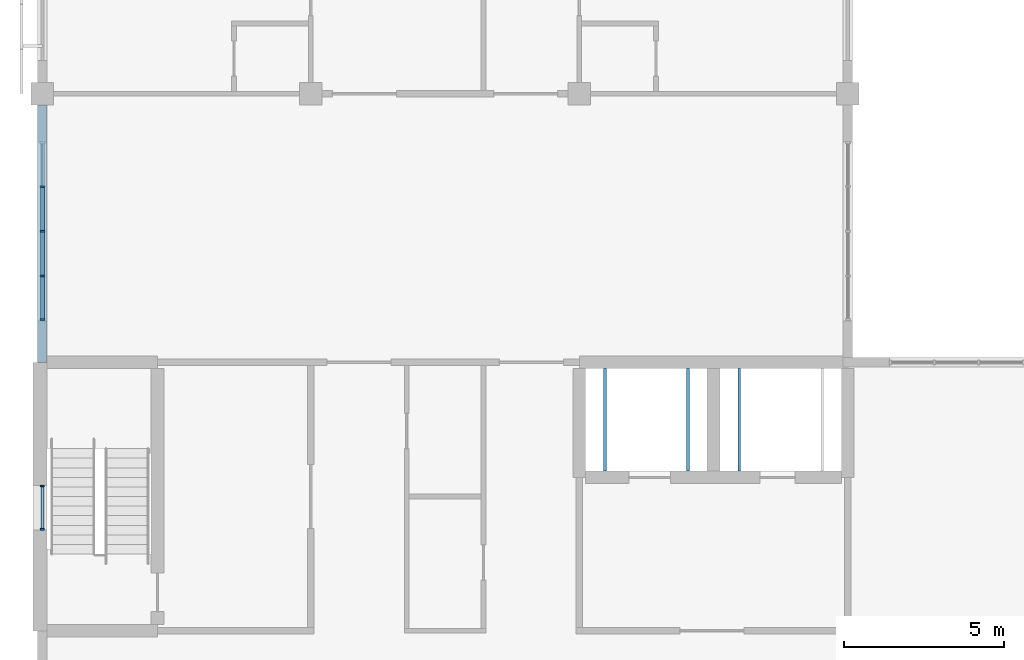
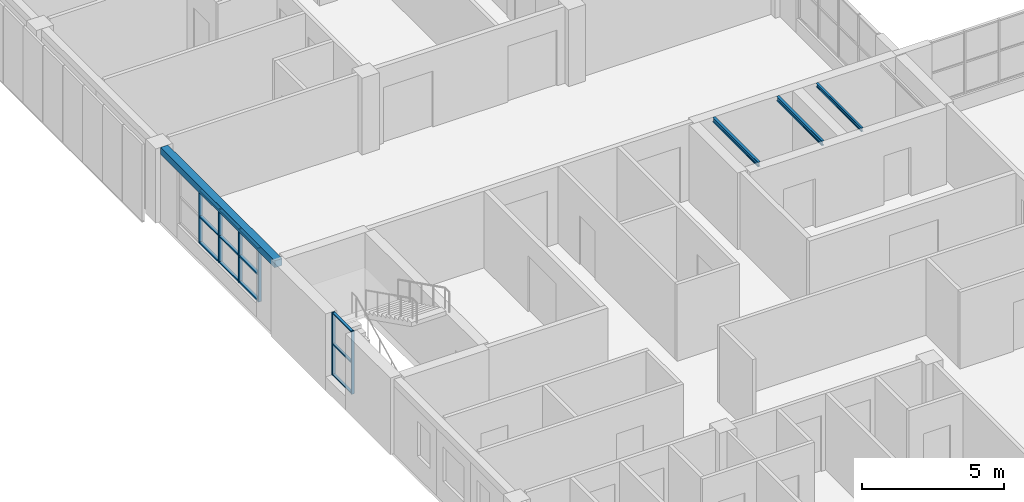
# One storey, part 3 of 48: 18 members, 4 beams, 2 elements without a shape of their own.
"""IFC4 building model written with IfcOpenShell, lengths in metres."""

import ifcopenshell
import ifcopenshell.guid

model = None  # the IFC model being written
_history = None  # IfcOwnerHistory: only IFC2X3 demands one
_inside = {}  # id of a spatial element -> (the spatial element, [elements in it])
_under = {}  # id of a project, library or spatial element -> (it, [spatial elements below it])
_declared = {}  # id of a project -> (the project, [libraries it declares])
_typed = {}  # id of a type object -> (the type object, [elements of that type])
_made_of = {}  # id of a material, layer set ... -> (it, [elements and type objects made of it])


def new_model(schema):
    """Start an empty IFC model of exactly this schema.

    Asked for "IFC4X3", IfcOpenShell would pick the latest addendum, in which some entities
    have other attributes; the version numbers below select the first issue.
    IFC2X3 requires an IfcOwnerHistory on every rooted entity: one is made here for all.
    """
    global model, _history
    if schema == "IFC4X3":
        model = ifcopenshell.file(schema_version=(4, 3, 0, 0))
    else:
        model = ifcopenshell.file(schema=schema)
    _inside.clear()
    _under.clear()
    _declared.clear()
    _typed.clear()
    _made_of.clear()
    _history = None
    if model.schema == "IFC2X3":
        org = make("IfcOrganization", Name="unknown")
        user = make(
            "IfcPersonAndOrganization",
            ThePerson=make("IfcPerson", FamilyName="unknown"),
            TheOrganization=org,
        )
        app = make(
            "IfcApplication",
            ApplicationDeveloper=org,
            Version="unknown",
            ApplicationFullName="unknown",
            ApplicationIdentifier="unknown",
        )
        _history = make(
            "IfcOwnerHistory",
            OwningUser=user,
            OwningApplication=app,
            ChangeAction="ADDED",
            CreationDate=0,
        )
    return model


def make(cls, **values):
    """One entity of the class cls with the attributes given. An attribute that is None is left unset."""
    return model.create_entity(
        cls, **{name: value for name, value in values.items() if value is not None}
    )


def rooted(cls, **values):
    """An entity with a GlobalId (a new one), such as an element, a storey or a relation."""
    return make(cls, GlobalId=ifcopenshell.guid.new(), OwnerHistory=_history, **values)


def si_unit(unit_type, name, prefix=None):
    """IfcSIUnit, for example si_unit("LENGTHUNIT", "METRE", prefix="MILLI")."""
    return make("IfcSIUnit", UnitType=unit_type, Prefix=prefix, Name=name)


def assignment(units):
    """IfcUnitAssignment: the units of a project."""
    return None if units is None else make("IfcUnitAssignment", Units=units)


def point(xyz):
    """IfcCartesianPoint."""
    return None if xyz is None else make("IfcCartesianPoint", Coordinates=xyz)


def direction(xyz):
    """IfcDirection."""
    return None if xyz is None else make("IfcDirection", DirectionRatios=xyz)


def frame(location, z_axis=None, x_axis=None):
    """IfcAxis2Placement3D, a coordinate frame: its origin and axes. An axis left out is left unset."""
    return make(
        "IfcAxis2Placement3D",
        Location=point(location),
        Axis=direction(z_axis),
        RefDirection=direction(x_axis),
    )


def frame_2d(location, x_axis=None):
    """IfcAxis2Placement2D, a coordinate frame in the plane: its origin and x axis."""
    return make(
        "IfcAxis2Placement2D", Location=point(location), RefDirection=direction(x_axis)
    )


def origin():
    """The frame at (0, 0, 0) with its axes left unset."""
    return frame((0.0, 0.0, 0.0))


def origin_2d():
    """The frame at (0, 0) in the plane with its x axis left unset."""
    return frame_2d((0.0, 0.0))


def place(relative_to, where):
    """IfcLocalPlacement: puts the frame where relative to a parent placement (None: the world)."""
    return make(
        "IfcLocalPlacement", PlacementRelTo=relative_to, RelativePlacement=where
    )


def context(
    kind, dimensions, precision=None, world=None, true_north=None, identifier=None
):
    """IfcGeometricRepresentationContext, for example the 3D "Model" context."""
    return make(
        "IfcGeometricRepresentationContext",
        ContextIdentifier=identifier,
        ContextType=kind,
        CoordinateSpaceDimension=dimensions,
        Precision=precision,
        WorldCoordinateSystem=world,
        TrueNorth=true_north,
    )


def subcontext(parent, identifier, kind, view, scale=None):
    """IfcGeometricRepresentationSubContext, for example "Body" below "Model"."""
    return make(
        "IfcGeometricRepresentationSubContext",
        ContextIdentifier=identifier,
        ContextType=kind,
        ParentContext=parent,
        TargetScale=scale,
        TargetView=view,
    )


def project(units=None, contexts=None):
    """IfcProject with its units and contexts."""
    return rooted(
        "IfcProject",
        Name="project",
        RepresentationContexts=contexts,
        UnitsInContext=assignment(units),
    )


def spatial(cls, under=None, at=None, **own):
    """A site, building, storey or space (cls), placed at a placement, below another one or the project."""
    s = rooted(cls, ObjectPlacement=at, **own)
    if under is not None:
        _under.setdefault(under.id(), (under, []))[1].append(s)
    return s


def profile(cls, at=None, kind="AREA", **sizes):
    """A parametric profile (cls). Its sizes go by their IFC names, for example OverallWidth=200.0."""
    return make(cls, ProfileType=kind, Position=at, **sizes)


def rectangle(**sizes):
    """IfcRectangleProfileDef."""
    return profile("IfcRectangleProfileDef", **sizes)


def i_section(**sizes):
    """IfcIShapeProfileDef."""
    return profile("IfcIShapeProfileDef", **sizes)


def extrude(swept, where, along, depth):
    """IfcExtrudedAreaSolid: the profile swept, set in the frame where, extruded along a direction by depth."""
    return make(
        "IfcExtrudedAreaSolid",
        SweptArea=swept,
        Position=where,
        ExtrudedDirection=direction(along),
        Depth=depth,
    )


def shape(context_of_items, identifier, shape_type, items):
    """IfcShapeRepresentation: the items that make up one representation, for example the "Body"."""
    return make(
        "IfcShapeRepresentation",
        ContextOfItems=context_of_items,
        RepresentationIdentifier=identifier,
        RepresentationType=shape_type,
        Items=items,
    )


def material(Name=None, Category=None):
    """IfcMaterial."""
    return make("IfcMaterial", Name=Name, Category=Category)


def material_profile(
    of_material, cross_section, Name=None, Category=None, Priority=None
):
    """IfcMaterialProfile: a cross section and its material."""
    return make(
        "IfcMaterialProfile",
        Name=Name,
        Material=of_material,
        Profile=cross_section,
        Priority=Priority,
        Category=Category,
    )


def profile_set(profiles, Name=None, composite=None):
    """IfcMaterialProfileSet."""
    return make(
        "IfcMaterialProfileSet",
        Name=Name,
        MaterialProfiles=profiles,
        CompositeProfile=composite,
    )


def made_of(thing, what):
    """Note that an element or type object is made of a material, layer set ...; save() writes the relation."""
    if what is not None:
        _made_of.setdefault(what.id(), (what, []))[1].append(thing)
    return thing


def type_object(cls, material=None, **own):
    """A type object (cls), such as IfcWallType, which elements share."""
    return made_of(rooted(cls, **own), material)


def element(
    cls,
    number,
    at=None,
    inside=None,
    cuts=None,
    type_object=None,
    material=None,
    context=None,
    identifier="Body",
    shape_type=None,
    held_by="IfcProductDefinitionShape",
    body=None,
    shapes=None,
    **own,
):
    """One element of the class cls, such as IfcWall. Its Tag is "e" and its number.

    at: its placement. inside: the storey or other place that contains it. cuts: it is an
    opening in that element (IfcRelVoidsElement). A single representation is given by context,
    identifier, shape_type and body (its items); several are given by shapes. held_by: the class
    of the entity that holds the representations. save() writes the other relations.
    """
    e = rooted(cls, Tag="e%d" % number, ObjectPlacement=at, **own)
    if body is not None:
        shapes = [shape(context, identifier, shape_type, body)]
    if shapes is not None:
        e.Representation = make(held_by, Representations=shapes)
    if inside is not None:
        _inside.setdefault(inside.id(), (inside, []))[1].append(e)
    if cuts is not None:
        rooted(
            "IfcRelVoidsElement", RelatingBuildingElement=cuts, RelatedOpeningElement=e
        )
    if type_object is not None:
        _typed.setdefault(type_object.id(), (type_object, []))[1].append(e)
    return made_of(e, material)


def aggregate(whole, parts):
    """IfcRelAggregates: a whole, such as a stair, and the parts it consists of."""
    return rooted("IfcRelAggregates", RelatingObject=whole, RelatedObjects=parts)


def save(model, path):
    """Write the relations noted so far, then the file.

    IfcRelAggregates (storeys below a building ...), IfcRelContainedInSpatialStructure (elements
    in a storey), IfcRelDefinesByType, IfcRelAssociatesMaterial and IfcRelDeclares: one each for
    every whole, place, type object, material and project.
    """
    for whole, parts in _under.values():
        aggregate(whole, parts)
    for where, things in _inside.values():
        rooted(
            "IfcRelContainedInSpatialStructure",
            RelatedElements=things,
            RelatingStructure=where,
        )
    for kind, things in _typed.values():
        rooted("IfcRelDefinesByType", RelatedObjects=things, RelatingType=kind)
    for what, things in _made_of.values():
        rooted("IfcRelAssociatesMaterial", RelatedObjects=things, RelatingMaterial=what)
    for by, libraries in _declared.values():
        rooted("IfcRelDeclares", RelatingContext=by, RelatedDefinitions=libraries)
    model.write(path)


model = new_model("IFC4")

# Units and contexts
model_context = context("Model", 3, precision=1e-05, world=origin(), true_north=direction((0.0, 1.0)))
body_context = subcontext(model_context, "Body", "Model", "MODEL_VIEW")
ifc_project = project(units=[si_unit("LENGTHUNIT", "METRE"), si_unit("AREAUNIT", "SQUARE_METRE"), si_unit("VOLUMEUNIT", "CUBIC_METRE"), si_unit("PLANEANGLEUNIT", "RADIAN"), si_unit("MASSUNIT", "GRAM", prefix="KILO")], contexts=[model_context])

# Site, building, storey
site_placement = place(None, origin())
site = spatial("IfcSite", under=ifc_project, at=site_placement, CompositionType="ELEMENT")
building_placement = place(site_placement, origin())
building = spatial("IfcBuilding", under=site, at=building_placement, Name="Yavir Park General Hospital", CompositionType="ELEMENT")
storey_placement = place(building_placement, frame((0.0, 0.0, 26.10009765625)))
storey = spatial("IfcBuildingStorey", under=building, at=storey_placement, Name="L06", CompositionType="ELEMENT", Elevation=26.10009765625)

# Curtain wall, members
ifc_material_1 = material(Name="Aluminium curtain wall frame with insulated glazing", Category="aluminium")
curtain_wall_type_1 = type_object("IfcCurtainWallType", Name="Day room pocket glazing, ward floors, 2300 high, 1400 module", PredefinedType="NOTDEFINED", material=ifc_material_1)
curtain_wall_1_placement = place(storey_placement, origin())
curtain_wall_1 = element("IfcCurtainWall", 1, at=curtain_wall_1_placement, inside=storey, type_object=curtain_wall_type_1, Name="CW63 L06-019", PredefinedType="NOTDEFINED")
ifc_material_2 = material(Name="Aluminium", Category="aluminium")
ifc_material_profile_1 = material_profile(ifc_material_2, rectangle(XDim=0.139892578125, YDim=0.06005859375, at=origin_2d()), Name="AL 60x140")
ifc_profile_set_1 = profile_set([ifc_material_profile_1], Name="Aluminium")
member_type_1 = type_object("IfcMemberType", Name="Day room pocket glazing, ward floors, 2300 high mullion 60 x 140", PredefinedType="MULLION", material=ifc_profile_set_1)
member_1_placement = place(storey_placement, frame((0.0, 26.530029296875, 0.599853515625), z_axis=(0.0, 0.0, 1.0), x_axis=(-1.0, 0.0, 0.0)))
member_1 = element("IfcMember", 2, at=member_1_placement, type_object=member_type_1, Name="CW63 mullion 1", PredefinedType="MULLION", context=body_context, shape_type="SweptSolid", body=[
    extrude(rectangle(XDim=0.139892578125, YDim=0.06005859375, at=origin_2d()), origin(), (0.0, 0.0, 1.0), 2.300048828125),
])
member_2_placement = place(storey_placement, frame((0.0, 27.89990234375, 0.599853515625), z_axis=(0.0, 0.0, 1.0), x_axis=(-1.0, 0.0, 0.0)))
member_2 = element("IfcMember", 3, at=member_2_placement, type_object=member_type_1, Name="CW63 mullion 2", PredefinedType="MULLION", context=body_context, shape_type="SweptSolid", body=[
    extrude(rectangle(XDim=0.139892578125, YDim=0.06005859375, at=origin_2d()), origin(), (0.0, 0.0, 1.0), 2.300048828125),
])
member_3_placement = place(storey_placement, frame((0.0, 29.300048828125, 0.599853515625), z_axis=(0.0, 0.0, 1.0), x_axis=(-1.0, 0.0, 0.0)))
member_3 = element("IfcMember", 4, at=member_3_placement, type_object=member_type_1, Name="CW63 mullion 3", PredefinedType="MULLION", context=body_context, shape_type="SweptSolid", body=[
    extrude(rectangle(XDim=0.139892578125, YDim=0.06005859375, at=origin_2d()), origin(), (0.0, 0.0, 1.0), 2.300048828125),
])
member_4_placement = place(storey_placement, frame((0.0, 30.699951171875, 0.599853515625), z_axis=(0.0, 0.0, 1.0), x_axis=(-1.0, 0.0, 0.0)))
member_4 = element("IfcMember", 5, at=member_4_placement, type_object=member_type_1, Name="CW63 mullion 4", PredefinedType="MULLION", context=body_context, shape_type="SweptSolid", body=[
    extrude(rectangle(XDim=0.139892578125, YDim=0.06005859375, at=origin_2d()), origin(), (0.0, 0.0, 1.0), 2.300048828125),
])
ifc_material_3 = material(Name="Aluminium", Category="aluminium")
ifc_material_profile_2 = material_profile(ifc_material_3, rectangle(XDim=0.1201171875, YDim=0.06005859375, at=origin_2d()), Name="AL 120x60")
ifc_profile_set_2 = profile_set([ifc_material_profile_2], Name="Aluminium")
member_type_2 = type_object("IfcMemberType", Name="Day room pocket glazing, ward floors, 2300 high transom 60 x 120", PredefinedType="MULLION", material=ifc_profile_set_2)
member_5_placement = place(storey_placement, frame((0.0, 26.56005859375, 0.6298828125), z_axis=(0.0, 1.0, 0.0), x_axis=(-1.0, 0.0, 0.0)))
member_5 = element("IfcMember", 6, at=member_5_placement, type_object=member_type_2, Name="CW63 transom 1.1", PredefinedType="MULLION", context=body_context, shape_type="SweptSolid", body=[
    extrude(rectangle(XDim=0.1201171875, YDim=0.06005859375, at=origin_2d()), origin(), (0.0, 0.0, 1.0), 1.31005859375),
])
member_6_placement = place(storey_placement, frame((0.0, 26.56005859375, 1.75), z_axis=(0.0, 1.0, 0.0), x_axis=(-1.0, 0.0, 0.0)))
member_6 = element("IfcMember", 7, at=member_6_placement, type_object=member_type_2, Name="CW63 transom 1.2", PredefinedType="MULLION", context=body_context, shape_type="SweptSolid", body=[
    extrude(rectangle(XDim=0.1201171875, YDim=0.06005859375, at=origin_2d()), origin(), (0.0, 0.0, 1.0), 1.31005859375),
])
member_7_placement = place(storey_placement, frame((0.0, 26.56005859375, 2.869873046875), z_axis=(0.0, 1.0, 0.0), x_axis=(-1.0, 0.0, 0.0)))
member_7 = element("IfcMember", 8, at=member_7_placement, type_object=member_type_2, Name="CW63 transom 1.3", PredefinedType="MULLION", context=body_context, shape_type="SweptSolid", body=[
    extrude(rectangle(XDim=0.1201171875, YDim=0.06005859375, at=origin_2d()), origin(), (0.0, 0.0, 1.0), 1.31005859375),
])
member_8_placement = place(storey_placement, frame((0.0, 27.929931640625, 0.6298828125), z_axis=(0.0, 1.0, 0.0), x_axis=(-1.0, 0.0, 0.0)))
member_8 = element("IfcMember", 9, at=member_8_placement, type_object=member_type_2, Name="CW63 transom 2.1", PredefinedType="MULLION", context=body_context, shape_type="SweptSolid", body=[
    extrude(rectangle(XDim=0.1201171875, YDim=0.06005859375, at=origin_2d()), origin(), (0.0, 0.0, 1.0), 1.340087890625),
])
member_9_placement = place(storey_placement, frame((0.0, 27.929931640625, 1.75), z_axis=(0.0, 1.0, 0.0), x_axis=(-1.0, 0.0, 0.0)))
member_9 = element("IfcMember", 10, at=member_9_placement, type_object=member_type_2, Name="CW63 transom 2.2", PredefinedType="MULLION", context=body_context, shape_type="SweptSolid", body=[
    extrude(rectangle(XDim=0.1201171875, YDim=0.06005859375, at=origin_2d()), origin(), (0.0, 0.0, 1.0), 1.340087890625),
])
member_10_placement = place(storey_placement, frame((0.0, 27.929931640625, 2.869873046875), z_axis=(0.0, 1.0, 0.0), x_axis=(-1.0, 0.0, 0.0)))
member_10 = element("IfcMember", 11, at=member_10_placement, type_object=member_type_2, Name="CW63 transom 2.3", PredefinedType="MULLION", context=body_context, shape_type="SweptSolid", body=[
    extrude(rectangle(XDim=0.1201171875, YDim=0.06005859375, at=origin_2d()), origin(), (0.0, 0.0, 1.0), 1.340087890625),
])
member_11_placement = place(storey_placement, frame((0.0, 29.330078125, 0.6298828125), z_axis=(0.0, 1.0, 0.0), x_axis=(-1.0, 0.0, 0.0)))
member_11 = element("IfcMember", 12, at=member_11_placement, type_object=member_type_2, Name="CW63 transom 3.1", PredefinedType="MULLION", context=body_context, shape_type="SweptSolid", body=[
    extrude(rectangle(XDim=0.1201171875, YDim=0.06005859375, at=origin_2d()), origin(), (0.0, 0.0, 1.0), 1.33984375),
])
member_12_placement = place(storey_placement, frame((0.0, 29.330078125, 1.75), z_axis=(0.0, 1.0, 0.0), x_axis=(-1.0, 0.0, 0.0)))
member_12 = element("IfcMember", 13, at=member_12_placement, type_object=member_type_2, Name="CW63 transom 3.2", PredefinedType="MULLION", context=body_context, shape_type="SweptSolid", body=[
    extrude(rectangle(XDim=0.1201171875, YDim=0.06005859375, at=origin_2d()), origin(), (0.0, 0.0, 1.0), 1.33984375),
])
member_13_placement = place(storey_placement, frame((0.0, 29.330078125, 2.869873046875), z_axis=(0.0, 1.0, 0.0), x_axis=(-1.0, 0.0, 0.0)))
member_13 = element("IfcMember", 14, at=member_13_placement, type_object=member_type_2, Name="CW63 transom 3.3", PredefinedType="MULLION", context=body_context, shape_type="SweptSolid", body=[
    extrude(rectangle(XDim=0.1201171875, YDim=0.06005859375, at=origin_2d()), origin(), (0.0, 0.0, 1.0), 1.33984375),
])
aggregate(curtain_wall_1, [member_1, member_2, member_3, member_4, member_5, member_6, member_7, member_8, member_9, member_10, member_11, member_12, member_13])

# Beams
ifc_material_4 = material(Name="Steel S355", Category="steel")
ifc_material_profile_3 = material_profile(ifc_material_4, i_section(OverallWidth=0.08203125, OverallDepth=0.159912109375, WebThickness=0.0048828125, FlangeThickness=0.00732421875, FilletRadius=0.009033203125, at=origin_2d()), Name="IPE160")
ifc_profile_set_3 = profile_set([ifc_material_profile_3], Name="Steel S355")
beam_type_1 = type_object("IfcBeamType", Name="IPE 160 lift machine beam", PredefinedType="BEAM", material=ifc_profile_set_3)
beam_1_placement = place(storey_placement, frame((21.800048828125, 21.800048828125, 3.219970703125), z_axis=(0.0, 1.0, 0.0), x_axis=(-1.0, 0.0, 0.0)))
element("IfcBeam", 15, at=beam_1_placement, inside=storey, type_object=beam_type_1, Name="B:MACH:PL3:0", PredefinedType="BEAM", context=body_context, shape_type="SweptSolid", body=[
    extrude(i_section(OverallWidth=0.08203125, OverallDepth=0.159912109375, WebThickness=0.0048828125, FlangeThickness=0.00732421875, FilletRadius=0.009033203125, at=origin_2d()), origin(), (0.0, 0.0, 1.0), 3.199951171875),
])
ifc_material_5 = material(Name="Steel S355", Category="steel")
ifc_material_profile_4 = material_profile(ifc_material_5, i_section(OverallWidth=0.10009765625, OverallDepth=0.199951171875, WebThickness=0.005615234375, FlangeThickness=0.008544921875, FilletRadius=0.011962890625, at=origin_2d()), Name="IPE200")
ifc_profile_set_4 = profile_set([ifc_material_profile_4], Name="Steel S355")
beam_type_2 = type_object("IfcBeamType", Name="IPE 200 lift machine beam", PredefinedType="BEAM", material=ifc_profile_set_4)
for number, where, z_axis, x_axis, name in (
    (16, (17.60009765625, 21.800048828125, 3.199951171875), (0.0, 1.0, 0.0), (-1.0, 0.0, 0.0), "B:MACH:BL3:0"),
    (17, (20.199951171875, 21.800048828125, 3.199951171875), (0.0, 1.0, 0.0), (-1.0, 0.0, 0.0), "B:MACH:BL3:1"),
):
    element("IfcBeam", number, at=place(storey_placement, frame(where, z_axis=z_axis, x_axis=x_axis)), inside=storey, type_object=beam_type_2, Name=name, PredefinedType="BEAM", context=body_context, shape_type="SweptSolid", body=[
        extrude(i_section(OverallWidth=0.10009765625, OverallDepth=0.199951171875, WebThickness=0.005615234375, FlangeThickness=0.008544921875, FilletRadius=0.011962890625, at=origin_2d()), origin(), (0.0, 0.0, 1.0), 3.199951171875),
    ])
ifc_material_6 = material(Name="Concrete C35/45", Category="concrete")
ifc_material_profile_5 = material_profile(ifc_material_6, rectangle(XDim=0.300048828125, YDim=0.300048828125, at=origin_2d()), Name="RC300x300")
ifc_profile_set_5 = profile_set([ifc_material_profile_5], Name="Concrete C35/45")
beam_type_3 = type_object("IfcBeamType", Name="RC BEAM 300x300 edge beam", PredefinedType="BEAM", material=ifc_profile_set_5)
beam_2_placement = place(storey_placement, frame((0.0, 25.199951171875, 3.0498046875), z_axis=(0.0, 1.0, 0.0), x_axis=(-1.0, 0.0, 0.0)))
element("IfcBeam", 18, at=beam_2_placement, inside=storey, type_object=beam_type_3, Name="B:EDGE:L06:018", PredefinedType="BEAM", context=body_context, shape_type="SweptSolid", body=[
    extrude(rectangle(XDim=0.300048828125, YDim=0.300048828125, at=origin_2d()), origin(), (0.0, 0.0, 1.0), 8.050048828125),
])

# Curtain wall, members
ifc_material_7 = material(Name="Aluminium curtain wall frame with insulated glazing", Category="aluminium")
curtain_wall_type_2 = type_object("IfcCurtainWallType", Name="Stair light slot, ward floors, 2700 high, 1400 module", PredefinedType="NOTDEFINED", material=ifc_material_7)
curtain_wall_2_placement = place(storey_placement, origin())
curtain_wall_2 = element("IfcCurtainWall", 19, at=curtain_wall_2_placement, inside=storey, type_object=curtain_wall_type_2, Name="CW64 L06-018", PredefinedType="NOTDEFINED")
ifc_material_8 = material(Name="Aluminium", Category="aluminium")
ifc_material_profile_6 = material_profile(ifc_material_8, rectangle(XDim=0.1201171875, YDim=0.050048828125, at=origin_2d()), Name="AL 50x120")
ifc_profile_set_6 = profile_set([ifc_material_profile_6], Name="Aluminium")
member_type_3 = type_object("IfcMemberType", Name="Stair light slot, ward floors, 2700 high mullion 50 x 120", PredefinedType="MULLION", material=ifc_profile_set_6)
member_14_placement = place(storey_placement, frame((0.0, 19.97509765625, 0.599853515625), z_axis=(0.0, 0.0, 1.0), x_axis=(-1.0, 0.0, 0.0)))
member_14 = element("IfcMember", 20, at=member_14_placement, type_object=member_type_3, Name="CW64 mullion 1", PredefinedType="MULLION", context=body_context, shape_type="SweptSolid", body=[
    extrude(rectangle(XDim=0.1201171875, YDim=0.050048828125, at=origin_2d()), origin(), (0.0, 0.0, 1.0), 2.699951171875),
])
member_15_placement = place(storey_placement, frame((0.0, 21.324951171875, 0.599853515625), z_axis=(0.0, 0.0, 1.0), x_axis=(-1.0, 0.0, 0.0)))
member_15 = element("IfcMember", 21, at=member_15_placement, type_object=member_type_3, Name="CW64 mullion 2", PredefinedType="MULLION", context=body_context, shape_type="SweptSolid", body=[
    extrude(rectangle(XDim=0.1201171875, YDim=0.050048828125, at=origin_2d()), origin(), (0.0, 0.0, 1.0), 2.699951171875),
])
ifc_material_9 = material(Name="Aluminium", Category="aluminium")
ifc_material_profile_7 = material_profile(ifc_material_9, rectangle(XDim=0.10009765625, YDim=0.050048828125, at=origin_2d()), Name="AL 100x50")
ifc_profile_set_7 = profile_set([ifc_material_profile_7], Name="Aluminium")
member_type_4 = type_object("IfcMemberType", Name="Stair light slot, ward floors, 2700 high transom 50 x 100", PredefinedType="MULLION", material=ifc_profile_set_7)
member_16_placement = place(storey_placement, frame((0.0, 20.0, 0.625), z_axis=(0.0, 1.0, 0.0), x_axis=(-1.0, 0.0, 0.0)))
member_16 = element("IfcMember", 22, at=member_16_placement, type_object=member_type_4, Name="CW64 transom 1.1", PredefinedType="MULLION", context=body_context, shape_type="SweptSolid", body=[
    extrude(rectangle(XDim=0.10009765625, YDim=0.050048828125, at=origin_2d()), origin(), (0.0, 0.0, 1.0), 1.300048828125),
])
member_17_placement = place(storey_placement, frame((0.0, 20.0, 1.949951171875), z_axis=(0.0, 1.0, 0.0), x_axis=(-1.0, 0.0, 0.0)))
member_17 = element("IfcMember", 23, at=member_17_placement, type_object=member_type_4, Name="CW64 transom 1.2", PredefinedType="MULLION", context=body_context, shape_type="SweptSolid", body=[
    extrude(rectangle(XDim=0.10009765625, YDim=0.050048828125, at=origin_2d()), origin(), (0.0, 0.0, 1.0), 1.300048828125),
])
member_18_placement = place(storey_placement, frame((0.0, 20.0, 3.27490234375), z_axis=(0.0, 1.0, 0.0), x_axis=(-1.0, 0.0, 0.0)))
member_18 = element("IfcMember", 24, at=member_18_placement, type_object=member_type_4, Name="CW64 transom 1.3", PredefinedType="MULLION", context=body_context, shape_type="SweptSolid", body=[
    extrude(rectangle(XDim=0.10009765625, YDim=0.050048828125, at=origin_2d()), origin(), (0.0, 0.0, 1.0), 1.300048828125),
])
aggregate(curtain_wall_2, [member_14, member_15, member_16, member_17, member_18])

save(model, "model.ifc")
